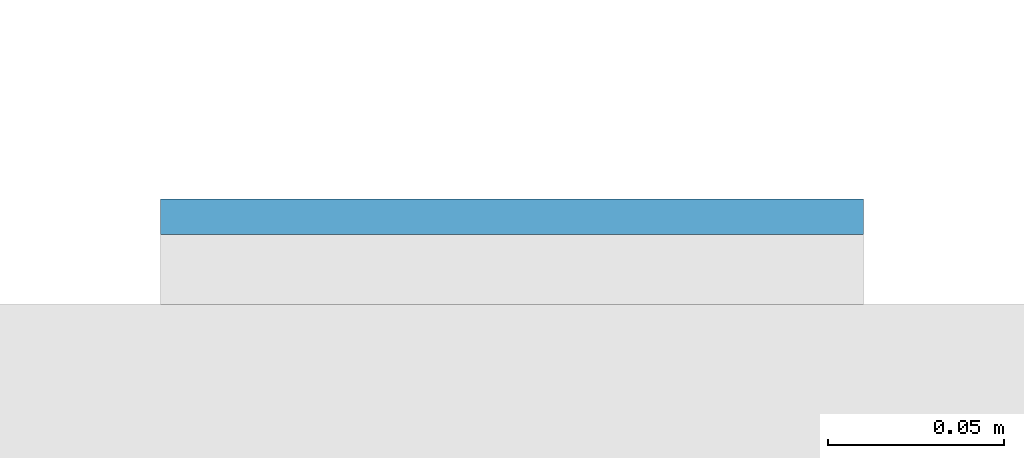
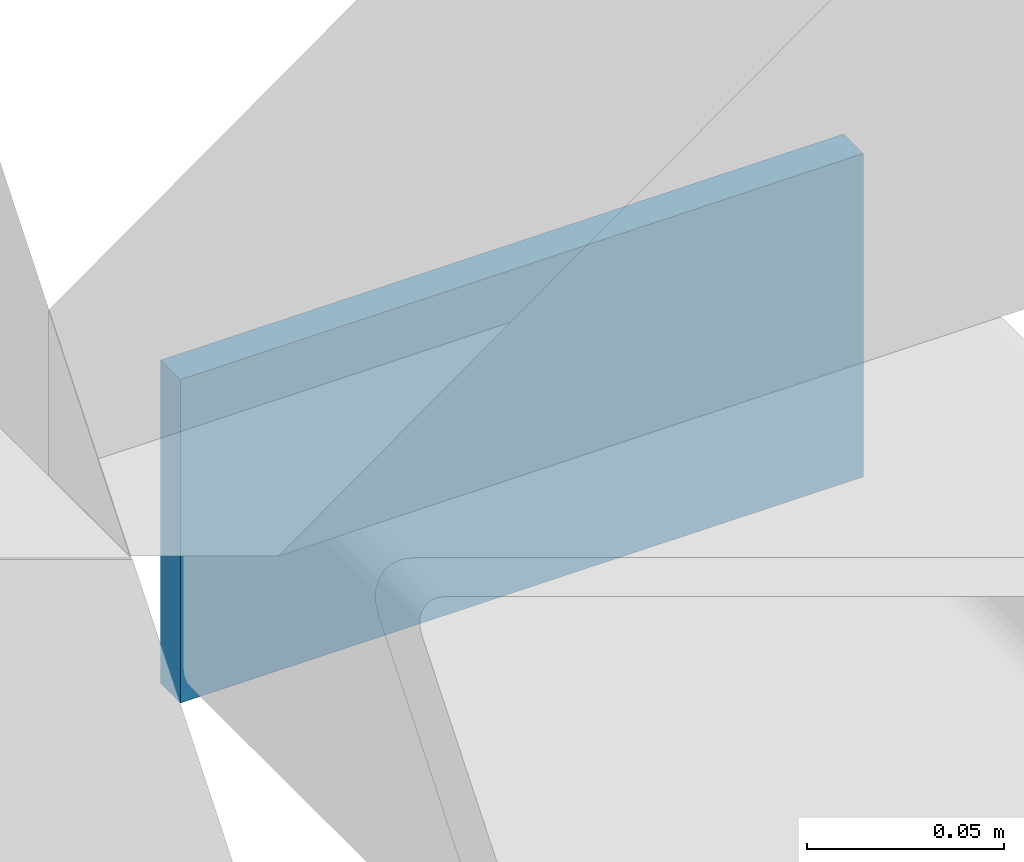
# One storey, part 11 of 20: 1 plate.
"""IFC4 building model written with IfcOpenShell, lengths in metres."""

from ifc_helpers import new_model, si_unit, direction, frame, origin, origin_2d, place, context, subcontext, project, spatial, rectangle, extrude, material, layer, layer_set, type_object, element, save


model = new_model("IFC4")

# Units and contexts
model_context = context("Model", 3, precision=1e-05, world=origin(), true_north=direction((0.0, 1.0)))
body_context = subcontext(model_context, "Body", "Model", "MODEL_VIEW")
ifc_project = project(units=[si_unit("LENGTHUNIT", "METRE"), si_unit("AREAUNIT", "SQUARE_METRE"), si_unit("VOLUMEUNIT", "CUBIC_METRE"), si_unit("PLANEANGLEUNIT", "RADIAN"), si_unit("MASSUNIT", "GRAM", prefix="KILO")], contexts=[model_context])

# Site, building, storey
site_placement = place(None, origin())
site = spatial("IfcSite", under=ifc_project, at=site_placement, CompositionType="ELEMENT")
building_placement = place(site_placement, origin())
building = spatial("IfcBuilding", under=site, at=building_placement, Name="Cleftline Residences", CompositionType="ELEMENT")
storey_placement = place(building_placement, frame((0.0, 0.0, 150.199951171875)))
storey = spatial("IfcBuildingStorey", under=building, at=storey_placement, Name="L39", CompositionType="ELEMENT", Elevation=150.199951171875)

# Plate
ifc_material = material(Name="Steel S355, hot-dip galvanised", Category="steel")
ifc_layer = layer(ifc_material, 0.010009765625)
ifc_layer_set = layer_set([ifc_layer], Name="BAGUETTE CARRIER END PLATE 200X100X10")
plate_type = type_object("IfcPlateType", Name="BAGUETTE CARRIER END PLATE 200X100X10", PredefinedType="USERDEFINED", material=ifc_layer_set)
plate_placement = place(storey_placement, frame((66.85009765625, 44.304931640625, -0.10009765625), z_axis=(0.0, 0.0, 1.0), x_axis=(1.0, 0.0, 0.0)))
element("IfcPlate", 1, at=plate_placement, inside=storey, type_object=plate_type, Name="Baguette carrier end plate", ObjectType="BAGUETTE CARRIER END PLATE", PredefinedType="USERDEFINED", context=body_context, shape_type="SweptSolid", body=[
    extrude(rectangle(XDim=0.199951171875, YDim=0.010009765625, at=origin_2d()), origin(), (0.0, 0.0, 1.0), 0.10009765625),
])

save(model, "model.ifc")
